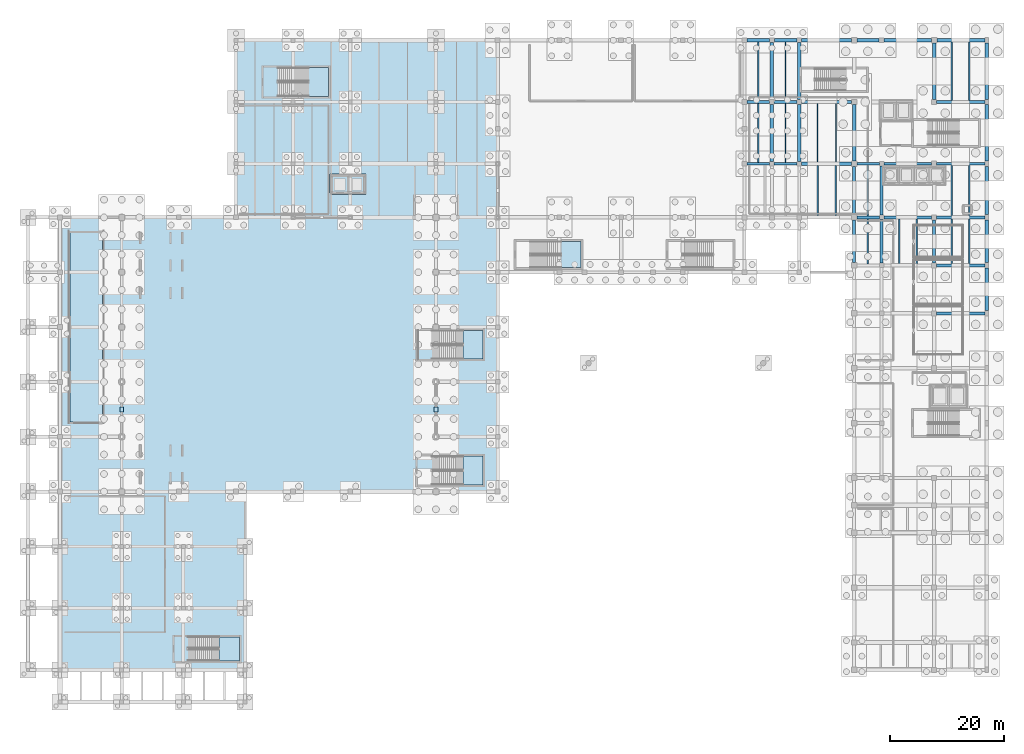
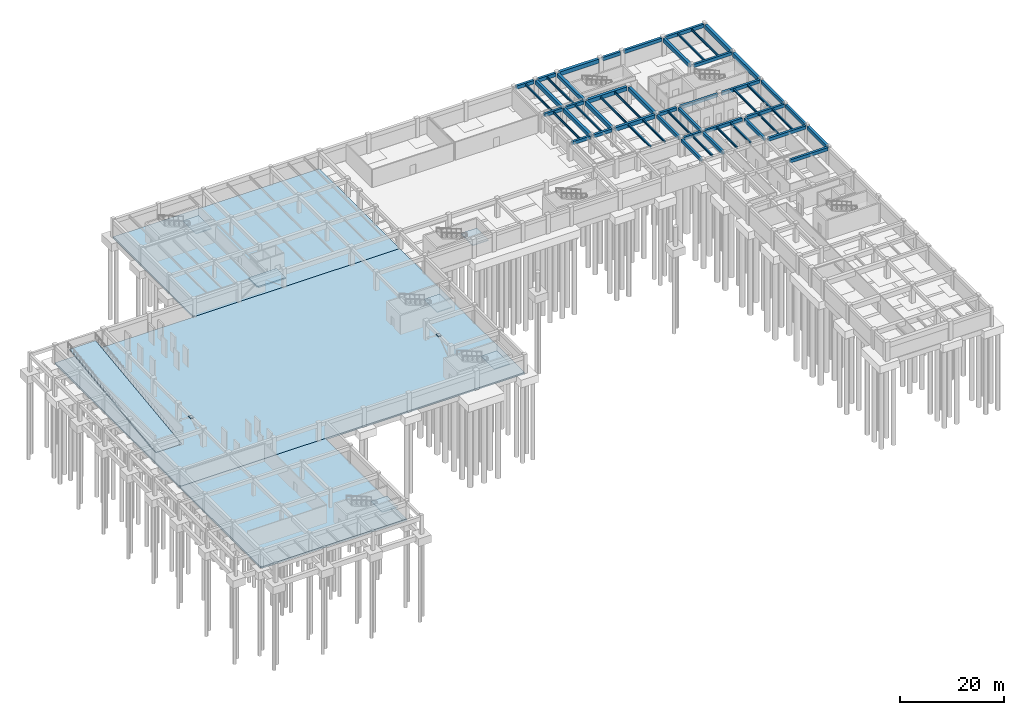
# One storey, part 11 of 33: 55 beams, 10 slabs, 2 plates, 5 elements without a shape of their own.
"""IFC4 building model written with IfcOpenShell, lengths in metres."""

import ifcopenshell
import ifcopenshell.guid

model = None  # the IFC model being written
_history = None  # IfcOwnerHistory: only IFC2X3 demands one
_inside = {}  # id of a spatial element -> (the spatial element, [elements in it])
_under = {}  # id of a project, library or spatial element -> (it, [spatial elements below it])
_declared = {}  # id of a project -> (the project, [libraries it declares])
_typed = {}  # id of a type object -> (the type object, [elements of that type])
_made_of = {}  # id of a material, layer set ... -> (it, [elements and type objects made of it])


def new_model(schema):
    """Start an empty IFC model of exactly this schema.

    Asked for "IFC4X3", IfcOpenShell would pick the latest addendum, in which some entities
    have other attributes; the version numbers below select the first issue.
    IFC2X3 requires an IfcOwnerHistory on every rooted entity: one is made here for all.
    """
    global model, _history
    if schema == "IFC4X3":
        model = ifcopenshell.file(schema_version=(4, 3, 0, 0))
    else:
        model = ifcopenshell.file(schema=schema)
    _inside.clear()
    _under.clear()
    _declared.clear()
    _typed.clear()
    _made_of.clear()
    _history = None
    if model.schema == "IFC2X3":
        org = make("IfcOrganization", Name="unknown")
        user = make(
            "IfcPersonAndOrganization",
            ThePerson=make("IfcPerson", FamilyName="unknown"),
            TheOrganization=org,
        )
        app = make(
            "IfcApplication",
            ApplicationDeveloper=org,
            Version="unknown",
            ApplicationFullName="unknown",
            ApplicationIdentifier="unknown",
        )
        _history = make(
            "IfcOwnerHistory",
            OwningUser=user,
            OwningApplication=app,
            ChangeAction="ADDED",
            CreationDate=0,
        )
    return model


def make(cls, **values):
    """One entity of the class cls with the attributes given. An attribute that is None is left unset."""
    return model.create_entity(
        cls, **{name: value for name, value in values.items() if value is not None}
    )


def rooted(cls, **values):
    """An entity with a GlobalId (a new one), such as an element, a storey or a relation."""
    return make(cls, GlobalId=ifcopenshell.guid.new(), OwnerHistory=_history, **values)


def si_unit(unit_type, name, prefix=None):
    """IfcSIUnit, for example si_unit("LENGTHUNIT", "METRE", prefix="MILLI")."""
    return make("IfcSIUnit", UnitType=unit_type, Prefix=prefix, Name=name)


def assignment(units):
    """IfcUnitAssignment: the units of a project."""
    return None if units is None else make("IfcUnitAssignment", Units=units)


def point(xyz):
    """IfcCartesianPoint."""
    return None if xyz is None else make("IfcCartesianPoint", Coordinates=xyz)


def direction(xyz):
    """IfcDirection."""
    return None if xyz is None else make("IfcDirection", DirectionRatios=xyz)


def frame(location, z_axis=None, x_axis=None):
    """IfcAxis2Placement3D, a coordinate frame: its origin and axes. An axis left out is left unset."""
    return make(
        "IfcAxis2Placement3D",
        Location=point(location),
        Axis=direction(z_axis),
        RefDirection=direction(x_axis),
    )


def frame_2d(location, x_axis=None):
    """IfcAxis2Placement2D, a coordinate frame in the plane: its origin and x axis."""
    return make(
        "IfcAxis2Placement2D", Location=point(location), RefDirection=direction(x_axis)
    )


def origin():
    """The frame at (0, 0, 0) with its axes left unset."""
    return frame((0.0, 0.0, 0.0))


def origin_2d():
    """The frame at (0, 0) in the plane with its x axis left unset."""
    return frame_2d((0.0, 0.0))


def place(relative_to, where):
    """IfcLocalPlacement: puts the frame where relative to a parent placement (None: the world)."""
    return make(
        "IfcLocalPlacement", PlacementRelTo=relative_to, RelativePlacement=where
    )


def context(
    kind, dimensions, precision=None, world=None, true_north=None, identifier=None
):
    """IfcGeometricRepresentationContext, for example the 3D "Model" context."""
    return make(
        "IfcGeometricRepresentationContext",
        ContextIdentifier=identifier,
        ContextType=kind,
        CoordinateSpaceDimension=dimensions,
        Precision=precision,
        WorldCoordinateSystem=world,
        TrueNorth=true_north,
    )


def subcontext(parent, identifier, kind, view, scale=None):
    """IfcGeometricRepresentationSubContext, for example "Body" below "Model"."""
    return make(
        "IfcGeometricRepresentationSubContext",
        ContextIdentifier=identifier,
        ContextType=kind,
        ParentContext=parent,
        TargetScale=scale,
        TargetView=view,
    )


def project(units=None, contexts=None):
    """IfcProject with its units and contexts."""
    return rooted(
        "IfcProject",
        Name="project",
        RepresentationContexts=contexts,
        UnitsInContext=assignment(units),
    )


def spatial(cls, under=None, at=None, **own):
    """A site, building, storey or space (cls), placed at a placement, below another one or the project."""
    s = rooted(cls, ObjectPlacement=at, **own)
    if under is not None:
        _under.setdefault(under.id(), (under, []))[1].append(s)
    return s


def polyline(points):
    """IfcPolyline through the points."""
    return make("IfcPolyline", Points=[point(p) for p in points])


def profile(cls, at=None, kind="AREA", **sizes):
    """A parametric profile (cls). Its sizes go by their IFC names, for example OverallWidth=200.0."""
    return make(cls, ProfileType=kind, Position=at, **sizes)


def rectangle(**sizes):
    """IfcRectangleProfileDef."""
    return profile("IfcRectangleProfileDef", **sizes)


def i_section(**sizes):
    """IfcIShapeProfileDef."""
    return profile("IfcIShapeProfileDef", **sizes)


def outline(outer, holes=None, kind="AREA"):
    """IfcArbitraryClosedProfileDef: a profile drawn as a closed curve; with holes, ...WithVoids."""
    if holes is None:
        return make("IfcArbitraryClosedProfileDef", ProfileType=kind, OuterCurve=outer)
    return make(
        "IfcArbitraryProfileDefWithVoids",
        ProfileType=kind,
        OuterCurve=outer,
        InnerCurves=holes,
    )


def extrude(swept, where, along, depth):
    """IfcExtrudedAreaSolid: the profile swept, set in the frame where, extruded along a direction by depth."""
    return make(
        "IfcExtrudedAreaSolid",
        SweptArea=swept,
        Position=where,
        ExtrudedDirection=direction(along),
        Depth=depth,
    )


def shape(context_of_items, identifier, shape_type, items):
    """IfcShapeRepresentation: the items that make up one representation, for example the "Body"."""
    return make(
        "IfcShapeRepresentation",
        ContextOfItems=context_of_items,
        RepresentationIdentifier=identifier,
        RepresentationType=shape_type,
        Items=items,
    )


def material(Name=None, Category=None):
    """IfcMaterial."""
    return make("IfcMaterial", Name=Name, Category=Category)


def layer(
    of_material, thickness, ventilated=None, Name=None, Category=None, Priority=None
):
    """IfcMaterialLayer: one layer of a wall or slab, of a material (None: an air gap)."""
    return make(
        "IfcMaterialLayer",
        Material=of_material,
        LayerThickness=thickness,
        IsVentilated=ventilated,
        Name=Name,
        Category=Category,
        Priority=Priority,
    )


def layer_set(layers, Name=None):
    """IfcMaterialLayerSet."""
    return make("IfcMaterialLayerSet", MaterialLayers=layers, LayerSetName=Name)


def material_profile(
    of_material, cross_section, Name=None, Category=None, Priority=None
):
    """IfcMaterialProfile: a cross section and its material."""
    return make(
        "IfcMaterialProfile",
        Name=Name,
        Material=of_material,
        Profile=cross_section,
        Priority=Priority,
        Category=Category,
    )


def profile_set(profiles, Name=None, composite=None):
    """IfcMaterialProfileSet."""
    return make(
        "IfcMaterialProfileSet",
        Name=Name,
        MaterialProfiles=profiles,
        CompositeProfile=composite,
    )


def made_of(thing, what):
    """Note that an element or type object is made of a material, layer set ...; save() writes the relation."""
    if what is not None:
        _made_of.setdefault(what.id(), (what, []))[1].append(thing)
    return thing


def type_object(cls, material=None, **own):
    """A type object (cls), such as IfcWallType, which elements share."""
    return made_of(rooted(cls, **own), material)


def element(
    cls,
    number,
    at=None,
    inside=None,
    cuts=None,
    type_object=None,
    material=None,
    context=None,
    identifier="Body",
    shape_type=None,
    held_by="IfcProductDefinitionShape",
    body=None,
    shapes=None,
    **own,
):
    """One element of the class cls, such as IfcWall. Its Tag is "e" and its number.

    at: its placement. inside: the storey or other place that contains it. cuts: it is an
    opening in that element (IfcRelVoidsElement). A single representation is given by context,
    identifier, shape_type and body (its items); several are given by shapes. held_by: the class
    of the entity that holds the representations. save() writes the other relations.
    """
    e = rooted(cls, Tag="e%d" % number, ObjectPlacement=at, **own)
    if body is not None:
        shapes = [shape(context, identifier, shape_type, body)]
    if shapes is not None:
        e.Representation = make(held_by, Representations=shapes)
    if inside is not None:
        _inside.setdefault(inside.id(), (inside, []))[1].append(e)
    if cuts is not None:
        rooted(
            "IfcRelVoidsElement", RelatingBuildingElement=cuts, RelatedOpeningElement=e
        )
    if type_object is not None:
        _typed.setdefault(type_object.id(), (type_object, []))[1].append(e)
    return made_of(e, material)


def aggregate(whole, parts):
    """IfcRelAggregates: a whole, such as a stair, and the parts it consists of."""
    return rooted("IfcRelAggregates", RelatingObject=whole, RelatedObjects=parts)


def save(model, path):
    """Write the relations noted so far, then the file.

    IfcRelAggregates (storeys below a building ...), IfcRelContainedInSpatialStructure (elements
    in a storey), IfcRelDefinesByType, IfcRelAssociatesMaterial and IfcRelDeclares: one each for
    every whole, place, type object, material and project.
    """
    for whole, parts in _under.values():
        aggregate(whole, parts)
    for where, things in _inside.values():
        rooted(
            "IfcRelContainedInSpatialStructure",
            RelatedElements=things,
            RelatingStructure=where,
        )
    for kind, things in _typed.values():
        rooted("IfcRelDefinesByType", RelatedObjects=things, RelatingType=kind)
    for what, things in _made_of.values():
        rooted("IfcRelAssociatesMaterial", RelatedObjects=things, RelatingMaterial=what)
    for by, libraries in _declared.values():
        rooted("IfcRelDeclares", RelatingContext=by, RelatedDefinitions=libraries)
    model.write(path)


model = new_model("IFC4")

# Units and contexts
model_context = context("Model", 3, precision=1e-05, world=origin(), true_north=direction((0.0, 1.0)))
body_context = subcontext(model_context, "Body", "Model", "MODEL_VIEW")
ifc_project = project(units=[si_unit("LENGTHUNIT", "METRE"), si_unit("AREAUNIT", "SQUARE_METRE"), si_unit("VOLUMEUNIT", "CUBIC_METRE"), si_unit("PLANEANGLEUNIT", "RADIAN"), si_unit("MASSUNIT", "GRAM", prefix="KILO")], contexts=[model_context])

# Site, building, storey
site_placement = place(None, origin())
site = spatial("IfcSite", under=ifc_project, at=site_placement, CompositionType="ELEMENT")
building_placement = place(site_placement, origin())
building = spatial("IfcBuilding", under=site, at=building_placement, Name="Veldera Park Congress Hotel", CompositionType="ELEMENT")
storey_placement = place(building_placement, frame((0.0, 0.0, -4.5)))
storey = spatial("IfcBuildingStorey", under=building, at=storey_placement, Name="B1", CompositionType="ELEMENT", Elevation=-4.5)

# Beams
ifc_material_1 = material(Name="Concrete f'c 40 MPa (5,800 psi)", Category="concrete")
ifc_material_profile_1 = material_profile(ifc_material_1, rectangle(XDim=0.5, YDim=0.75, at=origin_2d()), Name="RC 500x750")
ifc_profile_set_1 = profile_set([ifc_material_profile_1], Name="Concrete f'c 40 MPa (5,800 psi)")
beam_type_1 = type_object("IfcBeamType", Name="BM-RC750", PredefinedType="BEAM", material=ifc_profile_set_1)
for number, where, z_axis, x_axis, name in (
    (1, (75.25, 10.199951171875, 3.824951171875), (1.0, 0.0, 0.0), (0.0, 1.0, 0.0), "B1 Girder BM-RC750 50"),
    (2, (75.25, 18.60009765625, 3.824951171875), (1.0, 0.0, 0.0), (0.0, 1.0, 0.0), "B1 Girder BM-RC750 62"),
):
    element("IfcBeam", number, at=place(storey_placement, frame(where, z_axis=z_axis, x_axis=x_axis)), inside=storey, type_object=beam_type_1, Name=name, PredefinedType="BEAM", context=body_context, shape_type="SweptSolid", body=[
        extrude(rectangle(XDim=0.5, YDim=0.75, at=origin_2d()), origin(), (0.0, 0.0, 1.0), 8.425048828125),
    ])
beam_1_placement = place(storey_placement, frame((61.27490234375, 27.0, 3.824951171875), z_axis=(1.0, 0.0, 0.0), x_axis=(0.0, 1.0, 0.0)))
element("IfcBeam", 3, at=beam_1_placement, inside=storey, type_object=beam_type_1, Name="B1 Girder BM-RC750 77", PredefinedType="BEAM", context=body_context, shape_type="SweptSolid", body=[
    extrude(rectangle(XDim=0.5, YDim=0.75, at=origin_2d()), origin(), (0.0, 0.0, 1.0), 3.925048828125),
])
beam_2_placement = place(storey_placement, frame((66.0, 27.0, 3.824951171875), z_axis=(1.0, 0.0, 0.0), x_axis=(0.0, 1.0, 0.0)))
element("IfcBeam", 4, at=beam_2_placement, inside=storey, type_object=beam_type_1, Name="B1 Girder BM-RC750 78", PredefinedType="BEAM", context=body_context, shape_type="SweptSolid", body=[
    extrude(rectangle(XDim=0.5, YDim=0.75, at=origin_2d()), origin(), (0.0, 0.0, 1.0), 8.35009765625),
])
beam_3_placement = place(storey_placement, frame((75.25, 27.0, 3.824951171875), z_axis=(1.0, 0.0, 0.0), x_axis=(0.0, 1.0, 0.0)))
element("IfcBeam", 5, at=beam_3_placement, inside=storey, type_object=beam_type_1, Name="B1 Girder BM-RC750 79", PredefinedType="BEAM", context=body_context, shape_type="SweptSolid", body=[
    extrude(rectangle(XDim=0.5, YDim=0.75, at=origin_2d()), origin(), (0.0, 0.0, 1.0), 8.425048828125),
])
for number, where, z_axis, x_axis, name in (
    (6, (42.0, 36.39990234375, 3.824951171875), (1.0, 0.0, 0.0), (0.0, 1.0, 0.0), "B1 Girder BM-RC750 84"),
    (7, (46.800048828125, 36.39990234375, 3.824951171875), (1.0, 0.0, 0.0), (0.0, 1.0, 0.0), "B1 Girder BM-RC750 85"),
):
    element("IfcBeam", number, at=place(storey_placement, frame(where, z_axis=z_axis, x_axis=x_axis)), inside=storey, type_object=beam_type_1, Name=name, PredefinedType="BEAM", context=body_context, shape_type="SweptSolid", body=[
        extrude(rectangle(XDim=0.5, YDim=0.75, at=origin_2d()), origin(), (0.0, 0.0, 1.0), 4.0),
    ])
beam_4_placement = place(storey_placement, frame((61.27490234375, 36.39990234375, 3.824951171875), z_axis=(1.0, 0.0, 0.0), x_axis=(0.0, 1.0, 0.0)))
element("IfcBeam", 8, at=beam_4_placement, inside=storey, type_object=beam_type_1, Name="B1 Girder BM-RC750 87", PredefinedType="BEAM", context=body_context, shape_type="SweptSolid", body=[
    extrude(rectangle(XDim=0.5, YDim=0.75, at=origin_2d()), origin(), (0.0, 0.0, 1.0), 3.925048828125),
])
beam_5_placement = place(storey_placement, frame((66.0, 36.39990234375, 3.824951171875), z_axis=(1.0, 0.0, 0.0), x_axis=(0.0, 1.0, 0.0)))
element("IfcBeam", 9, at=beam_5_placement, inside=storey, type_object=beam_type_1, Name="B1 Girder BM-RC750 88", PredefinedType="BEAM", context=body_context, shape_type="SweptSolid", body=[
    extrude(rectangle(XDim=0.5, YDim=0.75, at=origin_2d()), origin(), (0.0, 0.0, 1.0), 8.35009765625),
])
beam_6_placement = place(storey_placement, frame((75.25, 36.39990234375, 3.824951171875), z_axis=(1.0, 0.0, 0.0), x_axis=(0.0, 1.0, 0.0)))
element("IfcBeam", 10, at=beam_6_placement, inside=storey, type_object=beam_type_1, Name="B1 Girder BM-RC750 89", PredefinedType="BEAM", context=body_context, shape_type="SweptSolid", body=[
    extrude(rectangle(XDim=0.5, YDim=0.75, at=origin_2d()), origin(), (0.0, 0.0, 1.0), 8.425048828125),
])
for number, where, z_axis, x_axis, name in (
    (11, (42.0, 47.199951171875, 3.824951171875), (1.0, 0.0, 0.0), (0.0, 1.0, 0.0), "B1 Girder BM-RC750 94"),
    (12, (46.800048828125, 47.199951171875, 3.824951171875), (1.0, 0.0, 0.0), (0.0, 1.0, 0.0), "B1 Girder BM-RC750 95"),
):
    element("IfcBeam", number, at=place(storey_placement, frame(where, z_axis=z_axis, x_axis=x_axis)), inside=storey, type_object=beam_type_1, Name=name, PredefinedType="BEAM", context=body_context, shape_type="SweptSolid", body=[
        extrude(rectangle(XDim=0.5, YDim=0.75, at=origin_2d()), origin(), (0.0, 0.0, 1.0), 4.0),
    ])
beam_7_placement = place(storey_placement, frame((75.25, 47.199951171875, 3.824951171875), z_axis=(1.0, 0.0, 0.0), x_axis=(0.0, 1.0, 0.0)))
element("IfcBeam", 13, at=beam_7_placement, inside=storey, type_object=beam_type_1, Name="B1 Girder BM-RC750 97", PredefinedType="BEAM", context=body_context, shape_type="SweptSolid", body=[
    extrude(rectangle(XDim=0.5, YDim=0.75, at=origin_2d()), origin(), (0.0, 0.0, 1.0), 8.425048828125),
])
beam_8_placement = place(storey_placement, frame((60.800048828125, 19.074951171875, 3.824951171875), z_axis=(0.0, 1.0, 0.0), x_axis=(-1.0, 0.0, 0.0)))
element("IfcBeam", 14, at=beam_8_placement, inside=storey, type_object=beam_type_1, Name="B1 Girder BM-RC750 187", PredefinedType="BEAM", context=body_context, shape_type="SweptSolid", body=[
    extrude(rectangle(XDim=0.5, YDim=0.75, at=origin_2d()), origin(), (0.0, 0.0, 1.0), 7.449951171875),
])
beam_9_placement = place(storey_placement, frame((60.800048828125, 27.47509765625, 3.824951171875), z_axis=(0.0, 1.0, 0.0), x_axis=(-1.0, 0.0, 0.0)))
element("IfcBeam", 15, at=beam_9_placement, inside=storey, type_object=beam_type_1, Name="B1 Girder BM-RC750 188", PredefinedType="BEAM", context=body_context, shape_type="SweptSolid", body=[
    extrude(rectangle(XDim=0.5, YDim=0.75, at=origin_2d()), origin(), (0.0, 0.0, 1.0), 8.449951171875),
])
beam_10_placement = place(storey_placement, frame((65.60009765625, 19.0, 3.824951171875), z_axis=(0.0, 1.0, 0.0), x_axis=(-1.0, 0.0, 0.0)))
element("IfcBeam", 16, at=beam_10_placement, inside=storey, type_object=beam_type_1, Name="B1 Girder BM-RC750 194", PredefinedType="BEAM", context=body_context, shape_type="SweptSolid", body=[
    extrude(rectangle(XDim=0.5, YDim=0.75, at=origin_2d()), origin(), (0.0, 0.0, 1.0), 7.60009765625),
])
beam_11_placement = place(storey_placement, frame((65.60009765625, 27.39990234375, 3.824951171875), z_axis=(0.0, 1.0, 0.0), x_axis=(-1.0, 0.0, 0.0)))
element("IfcBeam", 17, at=beam_11_placement, inside=storey, type_object=beam_type_1, Name="B1 Girder BM-RC750 195", PredefinedType="BEAM", context=body_context, shape_type="SweptSolid", body=[
    extrude(rectangle(XDim=0.5, YDim=0.75, at=origin_2d()), origin(), (0.0, 0.0, 1.0), 8.60009765625),
])
beam_12_placement = place(storey_placement, frame((74.800048828125, 19.050048828125, 3.824951171875), z_axis=(0.0, 1.0, 0.0), x_axis=(-1.0, 0.0, 0.0)))
element("IfcBeam", 18, at=beam_12_placement, inside=storey, type_object=beam_type_1, Name="B1 Girder BM-RC750 203", PredefinedType="BEAM", context=body_context, shape_type="SweptSolid", body=[
    extrude(rectangle(XDim=0.5, YDim=0.75, at=origin_2d()), origin(), (0.0, 0.0, 1.0), 7.5),
])
ifc_material_profile_2 = material_profile(ifc_material_1, rectangle(XDim=0.550048828125, YDim=0.800048828125, at=origin_2d()), Name="RC 550x800")
ifc_profile_set_2 = profile_set([ifc_material_profile_2], Name="Concrete f'c 40 MPa (5,800 psi)")
beam_type_2 = type_object("IfcBeamType", Name="BM-RC750E", PredefinedType="BEAM", material=ifc_profile_set_2)
beam_13_placement = place(storey_placement, frame((42.02490234375, 58.0, 3.800048828125), z_axis=(1.0, 0.0, 0.0), x_axis=(0.0, 1.0, 0.0)))
element("IfcBeam", 19, at=beam_13_placement, inside=storey, type_object=beam_type_2, Name="B1 Girder BM-RC750E 106", PredefinedType="BEAM", context=body_context, shape_type="SweptSolid", body=[
    extrude(rectangle(XDim=0.550048828125, YDim=0.800048828125, at=origin_2d()), origin(), (0.0, 0.0, 1.0), 3.9501953125),
])
beam_14_placement = place(storey_placement, frame((46.824951171875, 58.0, 3.800048828125), z_axis=(1.0, 0.0, 0.0), x_axis=(0.0, 1.0, 0.0)))
element("IfcBeam", 20, at=beam_14_placement, inside=storey, type_object=beam_type_2, Name="B1 Girder BM-RC750E 107", PredefinedType="BEAM", context=body_context, shape_type="SweptSolid", body=[
    extrude(rectangle(XDim=0.550048828125, YDim=0.800048828125, at=origin_2d()), origin(), (0.0, 0.0, 1.0), 3.949951171875),
])
beam_15_placement = place(storey_placement, frame((61.27490234375, 58.0, 3.800048828125), z_axis=(1.0, 0.0, 0.0), x_axis=(0.0, 1.0, 0.0)))
element("IfcBeam", 21, at=beam_15_placement, inside=storey, type_object=beam_type_2, Name="B1 Girder BM-RC750E 109", PredefinedType="BEAM", context=body_context, shape_type="SweptSolid", body=[
    extrude(rectangle(XDim=0.550048828125, YDim=0.800048828125, at=origin_2d()), origin(), (0.0, 0.0, 1.0), 3.900146484375),
])
beam_16_placement = place(storey_placement, frame((66.02490234375, 58.0, 3.800048828125), z_axis=(1.0, 0.0, 0.0), x_axis=(0.0, 1.0, 0.0)))
element("IfcBeam", 22, at=beam_16_placement, inside=storey, type_object=beam_type_2, Name="B1 Girder BM-RC750E 110", PredefinedType="BEAM", context=body_context, shape_type="SweptSolid", body=[
    extrude(rectangle(XDim=0.550048828125, YDim=0.800048828125, at=origin_2d()), origin(), (0.0, 0.0, 1.0), 8.300048828125),
])
beam_17_placement = place(storey_placement, frame((75.27490234375, 58.0, 3.800048828125), z_axis=(1.0, 0.0, 0.0), x_axis=(0.0, 1.0, 0.0)))
element("IfcBeam", 23, at=beam_17_placement, inside=storey, type_object=beam_type_2, Name="B1 Girder BM-RC750E 111", PredefinedType="BEAM", context=body_context, shape_type="SweptSolid", body=[
    extrude(rectangle(XDim=0.550048828125, YDim=0.800048828125, at=origin_2d()), origin(), (0.0, 0.0, 1.0), 8.400146484375),
])
for number, where, z_axis, x_axis, name in (
    (24, (84.0, 10.675048828125, 3.800048828125), (0.0, 1.0, 0.0), (-1.0, 0.0, 0.0), "B1 Girder BM-RC750E 213"),
    (25, (84.0, 19.074951171875, 3.800048828125), (0.0, 1.0, 0.0), (-1.0, 0.0, 0.0), "B1 Girder BM-RC750E 214"),
):
    element("IfcBeam", number, at=place(storey_placement, frame(where, z_axis=z_axis, x_axis=x_axis)), inside=storey, type_object=beam_type_2, Name=name, PredefinedType="BEAM", context=body_context, shape_type="SweptSolid", body=[
        extrude(rectangle(XDim=0.550048828125, YDim=0.800048828125, at=origin_2d()), origin(), (0.0, 0.0, 1.0), 7.449951171875),
    ])
beam_18_placement = place(storey_placement, frame((84.0, 27.47509765625, 3.800048828125), z_axis=(0.0, 1.0, 0.0), x_axis=(-1.0, 0.0, 0.0)))
element("IfcBeam", 26, at=beam_18_placement, inside=storey, type_object=beam_type_2, Name="B1 Girder BM-RC750E 215", PredefinedType="BEAM", context=body_context, shape_type="SweptSolid", body=[
    extrude(rectangle(XDim=0.550048828125, YDim=0.800048828125, at=origin_2d()), origin(), (0.0, 0.0, 1.0), 8.449951171875),
])
ifc_material_profile_3 = material_profile(ifc_material_1, rectangle(XDim=0.60009765625, YDim=0.89990234375, at=origin_2d()), Name="RC 600x900")
ifc_profile_set_3 = profile_set([ifc_material_profile_3], Name="Concrete f'c 40 MPa (5,800 psi)")
beam_type_3 = type_object("IfcBeamType", Name="BM-RC900", PredefinedType="BEAM", material=ifc_profile_set_3)
for number, where, z_axis, x_axis, name in (
    (27, (51.60009765625, 36.39990234375, 3.75), (1.0, 0.0, 0.0), (0.0, 1.0, 0.0), "B1 Girder BM-RC900 86"),
    (28, (51.60009765625, 47.199951171875, 3.75), (1.0, 0.0, 0.0), (0.0, 1.0, 0.0), "B1 Girder BM-RC900 96"),
):
    element("IfcBeam", number, at=place(storey_placement, frame(where, z_axis=z_axis, x_axis=x_axis)), inside=storey, type_object=beam_type_3, Name=name, PredefinedType="BEAM", context=body_context, shape_type="SweptSolid", body=[
        extrude(rectangle(XDim=0.60009765625, YDim=0.89990234375, at=origin_2d()), origin(), (0.0, 0.0, 1.0), 8.724853515625),
    ])
beam_19_placement = place(storey_placement, frame((46.39990234375, 36.800048828125, 3.75), z_axis=(0.0, 1.0, 0.0), x_axis=(-1.0, 0.0, 0.0)))
element("IfcBeam", 29, at=beam_19_placement, inside=storey, type_object=beam_type_3, Name="B1 Girder BM-RC900 172", PredefinedType="BEAM", context=body_context, shape_type="SweptSolid", body=[
    extrude(rectangle(XDim=0.60009765625, YDim=0.89990234375, at=origin_2d()), origin(), (0.0, 0.0, 1.0), 10.0),
])
beam_20_placement = place(storey_placement, frame((46.39990234375, 47.60009765625, 3.75), z_axis=(0.0, 1.0, 0.0), x_axis=(-1.0, 0.0, 0.0)))
element("IfcBeam", 30, at=beam_20_placement, inside=storey, type_object=beam_type_3, Name="B1 Girder BM-RC900 173", PredefinedType="BEAM", context=body_context, shape_type="SweptSolid", body=[
    extrude(rectangle(XDim=0.60009765625, YDim=0.89990234375, at=origin_2d()), origin(), (0.0, 0.0, 1.0), 9.974853515625),
])
beam_21_placement = place(storey_placement, frame((51.199951171875, 36.800048828125, 3.75), z_axis=(0.0, 1.0, 0.0), x_axis=(-1.0, 0.0, 0.0)))
element("IfcBeam", 31, at=beam_21_placement, inside=storey, type_object=beam_type_3, Name="B1 Girder BM-RC900 176", PredefinedType="BEAM", context=body_context, shape_type="SweptSolid", body=[
    extrude(rectangle(XDim=0.60009765625, YDim=0.89990234375, at=origin_2d()), origin(), (0.0, 0.0, 1.0), 10.0),
])
beam_22_placement = place(storey_placement, frame((51.199951171875, 47.60009765625, 3.75), z_axis=(0.0, 1.0, 0.0), x_axis=(-1.0, 0.0, 0.0)))
element("IfcBeam", 32, at=beam_22_placement, inside=storey, type_object=beam_type_3, Name="B1 Girder BM-RC900 177", PredefinedType="BEAM", context=body_context, shape_type="SweptSolid", body=[
    extrude(rectangle(XDim=0.60009765625, YDim=0.89990234375, at=origin_2d()), origin(), (0.0, 0.0, 1.0), 9.974853515625),
])
beam_23_placement = place(storey_placement, frame((60.800048828125, 36.875, 3.75), z_axis=(0.0, 1.0, 0.0), x_axis=(-1.0, 0.0, 0.0)))
element("IfcBeam", 33, at=beam_23_placement, inside=storey, type_object=beam_type_3, Name="B1 Girder BM-RC900 189", PredefinedType="BEAM", context=body_context, shape_type="SweptSolid", body=[
    extrude(rectangle(XDim=0.60009765625, YDim=0.89990234375, at=origin_2d()), origin(), (0.0, 0.0, 1.0), 9.85009765625),
])
beam_24_placement = place(storey_placement, frame((74.800048828125, 47.64990234375, 3.75), z_axis=(0.0, 1.0, 0.0), x_axis=(-1.0, 0.0, 0.0)))
element("IfcBeam", 34, at=beam_24_placement, inside=storey, type_object=beam_type_3, Name="B1 Girder BM-RC900 204", PredefinedType="BEAM", context=body_context, shape_type="SweptSolid", body=[
    extrude(rectangle(XDim=0.60009765625, YDim=0.89990234375, at=origin_2d()), origin(), (0.0, 0.0, 1.0), 9.875),
])
ifc_material_profile_4 = material_profile(ifc_material_1, rectangle(XDim=0.64990234375, YDim=0.949951171875, at=origin_2d()), Name="RC 650x950")
ifc_profile_set_4 = profile_set([ifc_material_profile_4], Name="Concrete f'c 40 MPa (5,800 psi)")
beam_type_4 = type_object("IfcBeamType", Name="BM-RC900E", PredefinedType="BEAM", material=ifc_profile_set_4)
beam_25_placement = place(storey_placement, frame((51.625, 58.0, 3.72509765625), z_axis=(1.0, 0.0, 0.0), x_axis=(0.0, 1.0, 0.0)))
element("IfcBeam", 35, at=beam_25_placement, inside=storey, type_object=beam_type_4, Name="B1 Girder BM-RC900E 108", PredefinedType="BEAM", context=body_context, shape_type="SweptSolid", body=[
    extrude(rectangle(XDim=0.64990234375, YDim=0.949951171875, at=origin_2d()), origin(), (0.0, 0.0, 1.0), 8.699951171875),
])
beam_26_placement = place(storey_placement, frame((84.0, 36.875, 3.72509765625), z_axis=(0.0, 1.0, 0.0), x_axis=(-1.0, 0.0, 0.0)))
element("IfcBeam", 36, at=beam_26_placement, inside=storey, type_object=beam_type_4, Name="B1 Girder BM-RC900E 216", PredefinedType="BEAM", context=body_context, shape_type="SweptSolid", body=[
    extrude(rectangle(XDim=0.64990234375, YDim=0.949951171875, at=origin_2d()), origin(), (0.0, 0.0, 1.0), 9.85009765625),
])
beam_27_placement = place(storey_placement, frame((84.0, 47.675048828125, 3.72509765625), z_axis=(0.0, 1.0, 0.0), x_axis=(-1.0, 0.0, 0.0)))
element("IfcBeam", 37, at=beam_27_placement, inside=storey, type_object=beam_type_4, Name="B1 Girder BM-RC900E 217", PredefinedType="BEAM", context=body_context, shape_type="SweptSolid", body=[
    extrude(rectangle(XDim=0.64990234375, YDim=0.949951171875, at=origin_2d()), origin(), (0.0, 0.0, 1.0), 9.849853515625),
])
ifc_material_2 = material(Name="Steel ASTM A992 Gr.50", Category="steel")
ifc_material_profile_5 = material_profile(ifc_material_2, i_section(OverallWidth=0.280029296875, OverallDepth=0.462890625, WebThickness=0.0107421875, FlangeThickness=0.017333984375, at=origin_2d()), Name="W18X76")
ifc_profile_set_5 = profile_set([ifc_material_profile_5], Name="Steel ASTM A992 Gr.50")
beam_type_5 = type_object("IfcBeamType", Name="JST-W18B", PredefinedType="JOIST", material=ifc_profile_set_5)
for number, where, z_axis, x_axis, name in (
    (38, (63.199951171875, 18.85009765625, 3.968505859375), (0.0, 1.0, 0.0), (-1.0, 0.0, 0.0), "B1 Floor Joist JST-W18B 232"),
    (39, (68.666748046875, 18.85009765625, 3.968505859375), (0.0, 1.0, 0.0), (-1.0, 0.0, 0.0), "B1 Floor Joist JST-W18B 233"),
    (40, (71.7333984375, 18.85009765625, 3.968505859375), (0.0, 1.0, 0.0), (-1.0, 0.0, 0.0), "B1 Floor Joist JST-W18B 234"),
    (41, (77.86669921875, 18.85009765625, 3.968505859375), (0.0, 1.0, 0.0), (-1.0, 0.0, 0.0), "B1 Floor Joist JST-W18B 235"),
    (42, (80.933349609375, 18.85009765625, 3.968505859375), (0.0, 1.0, 0.0), (-1.0, 0.0, 0.0), "B1 Floor Joist JST-W18B 236"),
):
    element("IfcBeam", number, at=place(storey_placement, frame(where, z_axis=z_axis, x_axis=x_axis)), inside=storey, type_object=beam_type_5, Name=name, PredefinedType="JOIST", context=body_context, shape_type="SweptSolid", body=[
        extrude(i_section(OverallWidth=0.280029296875, OverallDepth=0.462890625, WebThickness=0.0107421875, FlangeThickness=0.017333984375, at=origin_2d()), origin(), (0.0, 0.0, 1.0), 7.89990234375),
    ])
for number, where, z_axis, x_axis, name in (
    (43, (54.39990234375, 27.300048828125, 3.968505859375), (0.0, 1.0, 0.0), (-1.0, 0.0, 0.0), "B1 Floor Joist JST-W18B 247"),
    (44, (57.60009765625, 27.300048828125, 3.968505859375), (0.0, 1.0, 0.0), (-1.0, 0.0, 0.0), "B1 Floor Joist JST-W18B 248"),
):
    element("IfcBeam", number, at=place(storey_placement, frame(where, z_axis=z_axis, x_axis=x_axis)), inside=storey, type_object=beam_type_5, Name=name, PredefinedType="JOIST", context=body_context, shape_type="SweptSolid", body=[
        extrude(i_section(OverallWidth=0.280029296875, OverallDepth=0.462890625, WebThickness=0.0107421875, FlangeThickness=0.017333984375, at=origin_2d()), origin(), (0.0, 0.0, 1.0), 8.800048828125),
    ])
for number, where, z_axis, x_axis, name in (
    (45, (63.199951171875, 27.25, 3.968505859375), (0.0, 1.0, 0.0), (-1.0, 0.0, 0.0), "B1 Floor Joist JST-W18B 249"),
    (46, (77.86669921875, 27.25, 3.968505859375), (0.0, 1.0, 0.0), (-1.0, 0.0, 0.0), "B1 Floor Joist JST-W18B 250"),
    (47, (80.933349609375, 27.25, 3.968505859375), (0.0, 1.0, 0.0), (-1.0, 0.0, 0.0), "B1 Floor Joist JST-W18B 251"),
):
    element("IfcBeam", number, at=place(storey_placement, frame(where, z_axis=z_axis, x_axis=x_axis)), inside=storey, type_object=beam_type_5, Name=name, PredefinedType="JOIST", context=body_context, shape_type="SweptSolid", body=[
        extrude(i_section(OverallWidth=0.280029296875, OverallDepth=0.462890625, WebThickness=0.0107421875, FlangeThickness=0.017333984375, at=origin_2d()), origin(), (0.0, 0.0, 1.0), 8.89990234375),
    ])
ifc_material_profile_6 = material_profile(ifc_material_2, i_section(OverallWidth=0.2099609375, OverallDepth=0.537109375, WebThickness=0.010986328125, FlangeThickness=0.017333984375, at=origin_2d()), Name="W21X68")
ifc_profile_set_6 = profile_set([ifc_material_profile_6], Name="Steel ASTM A992 Gr.50")
beam_type_6 = type_object("IfcBeamType", Name="JST-W21", PredefinedType="JOIST", material=ifc_profile_set_6)
for number, where, z_axis, x_axis, name in (
    (48, (44.0, 36.64990234375, 3.931396484375), (0.0, 1.0, 0.0), (-1.0, 0.0, 0.0), "B1 Floor Joist JST-W21 260"),
    (49, (48.800048828125, 36.64990234375, 3.931396484375), (0.0, 1.0, 0.0), (-1.0, 0.0, 0.0), "B1 Floor Joist JST-W21 261"),
):
    element("IfcBeam", number, at=place(storey_placement, frame(where, z_axis=z_axis, x_axis=x_axis)), inside=storey, type_object=beam_type_6, Name=name, PredefinedType="JOIST", context=body_context, shape_type="SweptSolid", body=[
        extrude(i_section(OverallWidth=0.2099609375, OverallDepth=0.537109375, WebThickness=0.010986328125, FlangeThickness=0.017333984375, at=origin_2d()), origin(), (0.0, 0.0, 1.0), 10.300048828125),
    ])
for number, where, z_axis, x_axis, name in (
    (50, (54.39990234375, 36.699951171875, 3.931396484375), (0.0, 1.0, 0.0), (-1.0, 0.0, 0.0), "B1 Floor Joist JST-W21 262"),
    (51, (57.60009765625, 36.699951171875, 3.931396484375), (0.0, 1.0, 0.0), (-1.0, 0.0, 0.0), "B1 Floor Joist JST-W21 263"),
):
    element("IfcBeam", number, at=place(storey_placement, frame(where, z_axis=z_axis, x_axis=x_axis)), inside=storey, type_object=beam_type_6, Name=name, PredefinedType="JOIST", context=body_context, shape_type="SweptSolid", body=[
        extrude(i_section(OverallWidth=0.2099609375, OverallDepth=0.537109375, WebThickness=0.010986328125, FlangeThickness=0.017333984375, at=origin_2d()), origin(), (0.0, 0.0, 1.0), 10.199951171875),
    ])
for number, where, z_axis, x_axis, name in (
    (52, (44.0, 47.449951171875, 3.931396484375), (0.0, 1.0, 0.0), (-1.0, 0.0, 0.0), "B1 Floor Joist JST-W21 270"),
    (53, (48.800048828125, 47.449951171875, 3.931396484375), (0.0, 1.0, 0.0), (-1.0, 0.0, 0.0), "B1 Floor Joist JST-W21 271"),
    (54, (77.86669921875, 47.449951171875, 3.931396484375), (0.0, 1.0, 0.0), (-1.0, 0.0, 0.0), "B1 Floor Joist JST-W21 272"),
    (55, (80.933349609375, 47.449951171875, 3.931396484375), (0.0, 1.0, 0.0), (-1.0, 0.0, 0.0), "B1 Floor Joist JST-W21 273"),
):
    element("IfcBeam", number, at=place(storey_placement, frame(where, z_axis=z_axis, x_axis=x_axis)), inside=storey, type_object=beam_type_6, Name=name, PredefinedType="JOIST", context=body_context, shape_type="SweptSolid", body=[
        extrude(i_section(OverallWidth=0.2099609375, OverallDepth=0.537109375, WebThickness=0.010986328125, FlangeThickness=0.017333984375, at=origin_2d()), origin(), (0.0, 0.0, 1.0), 10.275146484375),
    ])

# Plates
ifc_material_3 = material(Name="Steel ASTM A572 Gr.50", Category="steel")
ifc_layer_1 = layer(ifc_material_3, 0.050048828125)
ifc_layer_set_1 = layer_set([ifc_layer_1], Name="Steel ASTM A572 Gr.50")
plate_type = type_object("IfcPlateType", Name="PLT-GUS05", PredefinedType="USERDEFINED", material=ifc_layer_set_1)
for number, where, z_axis, x_axis, name in (
    (56, (-67.39990234375, -6.60009765625, 3.7998046875), (0.0, 0.0, 1.0), (0.0, 1.0, 0.0), "Chevron Apex Gusset Plate 1"),
    (57, (-12.39990234375, -6.60009765625, 3.7998046875), (0.0, 0.0, 1.0), (0.0, 1.0, 0.0), "Chevron Apex Gusset Plate 2"),
):
    element("IfcPlate", number, at=place(storey_placement, frame(where, z_axis=z_axis, x_axis=x_axis)), inside=storey, type_object=plate_type, Name=name, ObjectType="GUSSET PLATE", PredefinedType="USERDEFINED", context=body_context, shape_type="SweptSolid", body=[
        extrude(rectangle(XDim=0.89990234375, YDim=0.639892578125, at=origin_2d()), origin(), (0.0, 0.0, 1.0), 0.050048828125),
    ])

# Slabs
ifc_layer_2 = layer(ifc_material_1, 0.39990234375)
ifc_layer_set_2 = layer_set([ifc_layer_2], Name="Concrete f'c 40 MPa (5,800 psi)")
slab_type_1 = type_object("IfcSlabType", Name="SLB-MAT400", PredefinedType="BASESLAB", material=ifc_layer_set_2)
slab_1_placement = place(storey_placement, frame((0.0, 0.0, -0.39990234375)))
element("IfcSlab", 58, at=slab_1_placement, inside=storey, type_object=slab_type_1, Name="B1 Basement Mat Slab SLB-B1-W1", PredefinedType="BASESLAB", context=body_context, shape_type="SweptSolid", body=[
    extrude(outline(polyline([(-78.199951171875, -20.739990234375), (-77.93994140625, -20.739990234375), (-77.93994140625, -21.0), (-1.60009765625, -21.0), (-1.60009765625, 27.0), (-78.199951171875, 27.0), (-78.199951171875, -20.739990234375)]), holes=[polyline([(-76.47998046875, -8.820068359375), (-70.719970703125, -8.820068359375), (-70.719970703125, -6.10009765625), (-76.47998046875, -6.10009765625), (-76.47998046875, -8.820068359375)])]), origin(), (0.0, 0.0, 1.0), 0.39990234375),
])
slab_2_placement = place(storey_placement, frame((0.0, 0.0, -0.39990234375)))
element("IfcSlab", 59, at=slab_2_placement, inside=storey, type_object=slab_type_1, Name="B1 Basement Mat Slab SLB-B1-W2", PredefinedType="BASESLAB", context=body_context, shape_type="SweptSolid", body=[
    extrude(outline(polyline([(-47.39990234375, 27.260009765625), (-47.139892578125, 27.260009765625), (-47.139892578125, 27.0), (-1.60009765625, 27.0), (-1.60009765625, 58.0), (-47.39990234375, 58.0), (-47.39990234375, 27.260009765625)])), origin(), (0.0, 0.0, 1.0), 0.39990234375),
])
slab_3_placement = place(storey_placement, frame((0.0, 0.0, -0.39990234375)))
element("IfcSlab", 60, at=slab_3_placement, inside=storey, type_object=slab_type_1, Name="B1 Basement Mat Slab SLB-B1-W3", PredefinedType="BASESLAB", context=body_context, shape_type="SweptSolid", body=[
    extrude(outline(polyline([(-78.199951171875, -51.93994140625), (-77.93994140625, -51.93994140625), (-77.93994140625, -52.199951171875), (-45.800048828125, -52.199951171875), (-45.800048828125, -21.0), (-78.199951171875, -21.0), (-78.199951171875, -51.93994140625)])), origin(), (0.0, 0.0, 1.0), 0.39990234375),
])
ifc_layer_3 = layer(ifc_material_1, 0.320068359375)
ifc_layer_set_3 = layer_set([ifc_layer_3], Name="Concrete f'c 40 MPa (5,800 psi)")
slab_type_2 = type_object("IfcSlabType", Name="SLB-PIT320", PredefinedType="BASESLAB", material=ifc_layer_set_3)
slab_4_placement = place(storey_placement, frame((0.0, 0.0, -1.5)))
element("IfcSlab", 61, at=slab_4_placement, inside=storey, type_object=slab_type_2, Name="Elevator Duplex Pit Base Slab PIT-CL", PredefinedType="BASESLAB", context=body_context, shape_type="SweptSolid", body=[
    extrude(outline(polyline([(-30.919921875, 31.2900390625), (-30.659912109375, 31.2900390625), (-30.659912109375, 31.030029296875), (-24.6298828125, 31.030029296875), (-24.6298828125, 34.570068359375), (-30.919921875, 34.570068359375), (-30.919921875, 31.2900390625)])), origin(), (0.0, 0.0, 1.0), 0.320068359375),
])
ifc_layer_4 = layer(ifc_material_1, 0.300048828125)
ifc_layer_set_4 = layer_set([ifc_layer_4], Name="Concrete f'c 40 MPa (5,800 psi)")
slab_type_3 = type_object("IfcSlabType", Name="SLB-VRMP300", PredefinedType="FLOOR", material=ifc_layer_set_4)
slab_5_placement = place(storey_placement, frame((-76.469970703125, -8.800048828125, 0.0), z_axis=(0.0, -0.124915599049, 0.992167371523), x_axis=(1.0, 0.0, 0.0)))
element("IfcSlab", 62, at=slab_5_placement, inside=storey, type_object=slab_type_3, Name="Basement Structural Vehicle Ramp Slab VR-01", PredefinedType="FLOOR", context=body_context, shape_type="SweptSolid", body=[
    extrude(outline(polyline([(0.0, 0.0), (5.739990234375, 0.0), (5.739990234375, 33.46204695375317), (0.0, 33.46204695375317), (0.0, 0.0)])), origin(), (0.0, 0.0, -1.0), 0.300048828125),
])

# Stair, slab
stair_type_1 = type_object("IfcStairType", Name="ST4", PredefinedType="HALF_TURN_STAIR", material=ifc_material_1)
stair_1_placement = place(storey_placement, origin())
stair_1 = element("IfcStair", 63, at=stair_1_placement, inside=storey, type_object=stair_type_1, Name="B1 Protected Exit Stair ST4", PredefinedType="HALF_TURN_STAIR")
ifc_layer_5 = layer(ifc_material_1, 0.199951171875)
ifc_layer_set_5 = layer_set([ifc_layer_5], Name="Concrete f'c 40 MPa (5,800 psi)")
slab_type_4 = type_object("IfcSlabType", Name="SLD-ST4", PredefinedType="LANDING", material=ifc_layer_set_5)
slab_6_placement = place(storey_placement, frame((0.0, 0.0, 2.050048828125)))
slab_6 = element("IfcSlab", 64, at=slab_6_placement, type_object=slab_type_4, Name="ST4 landing 1", PredefinedType="LANDING", context=body_context, shape_type="SweptSolid", body=[
    extrude(outline(polyline([(-34.675048828125, 48.199951171875), (-31.199951171875, 48.199951171875), (-31.199951171875, 53.199951171875), (-34.675048828125, 53.199951171875), (-34.675048828125, 48.199951171875)])), origin(), (0.0, 0.0, 1.0), 0.199951171875),
])
aggregate(stair_1, [slab_6])

stair_type_2 = type_object("IfcStairType", Name="ST5", PredefinedType="HALF_TURN_STAIR", material=ifc_material_1)
stair_2_placement = place(storey_placement, origin())
stair_2 = element("IfcStair", 65, at=stair_2_placement, inside=storey, type_object=stair_type_2, Name="B1 Protected Exit Stair ST5", PredefinedType="HALF_TURN_STAIR")
ifc_layer_6 = layer(ifc_material_1, 0.199951171875)
ifc_layer_set_6 = layer_set([ifc_layer_6], Name="Concrete f'c 40 MPa (5,800 psi)")
slab_type_5 = type_object("IfcSlabType", Name="SLD-ST5", PredefinedType="LANDING", material=ifc_layer_set_6)
slab_7_placement = place(storey_placement, frame((0.0, 0.0, 2.050048828125)))
slab_7 = element("IfcSlab", 66, at=slab_7_placement, type_object=slab_type_5, Name="ST5 landing 1", PredefinedType="LANDING", context=body_context, shape_type="SweptSolid", body=[
    extrude(outline(polyline([(-7.675048828125, -19.800048828125), (-4.199951171875, -19.800048828125), (-4.199951171875, -14.800048828125), (-7.675048828125, -14.800048828125), (-7.675048828125, -19.800048828125)])), origin(), (0.0, 0.0, 1.0), 0.199951171875),
])
aggregate(stair_2, [slab_7])

stair_type_3 = type_object("IfcStairType", Name="ST6", PredefinedType="HALF_TURN_STAIR", material=ifc_material_1)
stair_3_placement = place(storey_placement, origin())
stair_3 = element("IfcStair", 67, at=stair_3_placement, inside=storey, type_object=stair_type_3, Name="B1 Protected Exit Stair ST6", PredefinedType="HALF_TURN_STAIR")
ifc_layer_7 = layer(ifc_material_1, 0.199951171875)
ifc_layer_set_7 = layer_set([ifc_layer_7], Name="Concrete f'c 40 MPa (5,800 psi)")
slab_type_6 = type_object("IfcSlabType", Name="SLD-ST6", PredefinedType="LANDING", material=ifc_layer_set_7)
slab_8_placement = place(storey_placement, frame((0.0, 0.0, 2.050048828125)))
slab_8 = element("IfcSlab", 68, at=slab_8_placement, type_object=slab_type_6, Name="ST6 landing 1", PredefinedType="LANDING", context=body_context, shape_type="SweptSolid", body=[
    extrude(outline(polyline([(9.52490234375, 18.199951171875), (13.0, 18.199951171875), (13.0, 22.800048828125), (9.52490234375, 22.800048828125), (9.52490234375, 18.199951171875)])), origin(), (0.0, 0.0, 1.0), 0.199951171875),
])
aggregate(stair_3, [slab_8])

stair_type_4 = type_object("IfcStairType", Name="ST8", PredefinedType="HALF_TURN_STAIR", material=ifc_material_1)
stair_4_placement = place(storey_placement, origin())
stair_4 = element("IfcStair", 69, at=stair_4_placement, inside=storey, type_object=stair_type_4, Name="B1 Protected Exit Stair ST8", PredefinedType="HALF_TURN_STAIR")
ifc_layer_8 = layer(ifc_material_1, 0.199951171875)
ifc_layer_set_8 = layer_set([ifc_layer_8], Name="Concrete f'c 40 MPa (5,800 psi)")
slab_type_7 = type_object("IfcSlabType", Name="SLD-ST8", PredefinedType="LANDING", material=ifc_layer_set_8)
slab_9_placement = place(storey_placement, frame((0.0, 0.0, 2.050048828125)))
slab_9 = element("IfcSlab", 70, at=slab_9_placement, type_object=slab_type_7, Name="ST8 landing 1", PredefinedType="LANDING", context=body_context, shape_type="SweptSolid", body=[
    extrude(outline(polyline([(-50.375, -50.60009765625), (-46.800048828125, -50.60009765625), (-46.800048828125, -46.39990234375), (-50.375, -46.39990234375), (-50.375, -50.60009765625)])), origin(), (0.0, 0.0, 1.0), 0.199951171875),
])
aggregate(stair_4, [slab_9])

stair_type_5 = type_object("IfcStairType", Name="ST9", PredefinedType="HALF_TURN_STAIR", material=ifc_material_1)
stair_5_placement = place(storey_placement, origin())
stair_5 = element("IfcStair", 71, at=stair_5_placement, inside=storey, type_object=stair_type_5, Name="B1 Monumental Foyer Stair ST9", PredefinedType="HALF_TURN_STAIR")
ifc_layer_9 = layer(ifc_material_1, 0.199951171875)
ifc_layer_set_9 = layer_set([ifc_layer_9], Name="Concrete f'c 40 MPa (5,800 psi)")
slab_type_8 = type_object("IfcSlabType", Name="SLD-ST9", PredefinedType="LANDING", material=ifc_layer_set_9)
slab_10_placement = place(storey_placement, frame((0.0, 0.0, 2.050048828125)))
slab_10 = element("IfcSlab", 72, at=slab_10_placement, type_object=slab_type_8, Name="ST9 landing 1", PredefinedType="LANDING", context=body_context, shape_type="SweptSolid", body=[
    extrude(outline(polyline([(-7.675048828125, 2.199951171875), (-4.199951171875, 2.199951171875), (-4.199951171875, 7.199951171875), (-7.675048828125, 7.199951171875), (-7.675048828125, 2.199951171875)])), origin(), (0.0, 0.0, 1.0), 0.199951171875),
])
aggregate(stair_5, [slab_10])

save(model, "model.ifc")
